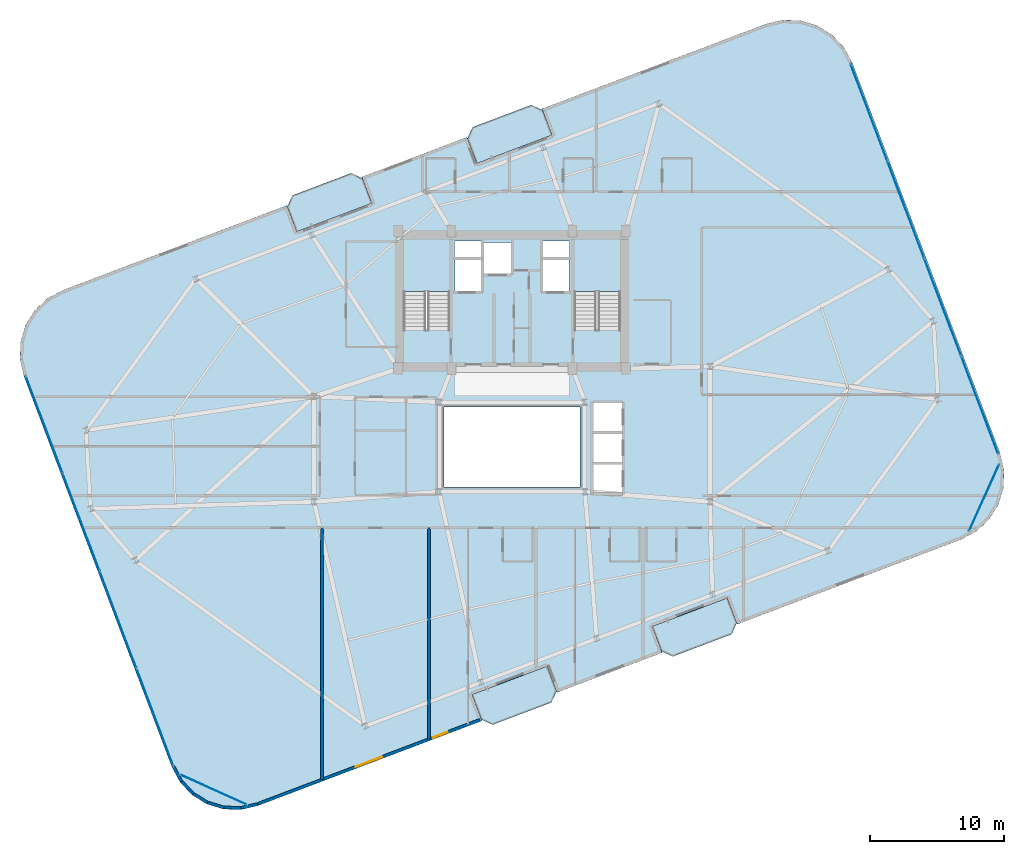
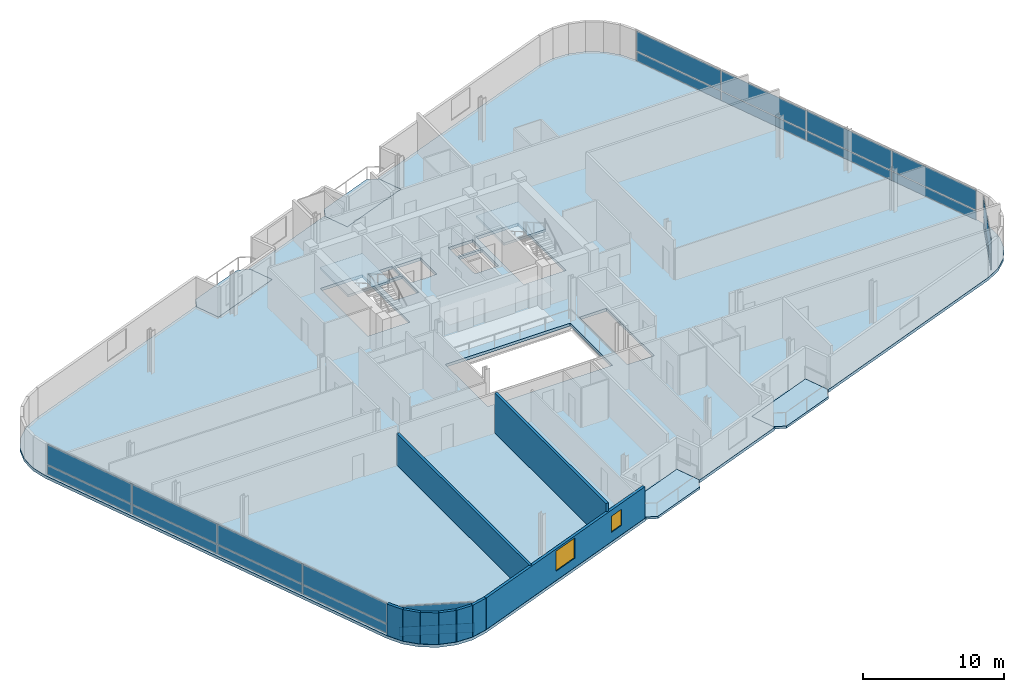
# One storey, part 17 of 24: 20 plates, 9 walls, 7 slabs, 2 windows, 2 openings, 6 elements without a shape of their own.
"""IFC4 building model written with IfcOpenShell, lengths in metres."""

from ifc_helpers import new_model, si_unit, direction, frame, frame_2d, origin, origin_2d, place, context, subcontext, project, spatial, polyline, rectangle, outline, extrude, source, transform, mapped, material, layer, layer_set, type_object, element, fill, aggregate, save


model = new_model("IFC4")

# Units and contexts
model_context = context("Model", 3, precision=1e-05, world=origin(), true_north=direction((0.0, 1.0)))
body_context = subcontext(model_context, "Body", "Model", "MODEL_VIEW")
ifc_project = project(units=[si_unit("LENGTHUNIT", "METRE"), si_unit("AREAUNIT", "SQUARE_METRE"), si_unit("VOLUMEUNIT", "CUBIC_METRE"), si_unit("PLANEANGLEUNIT", "RADIAN"), si_unit("MASSUNIT", "GRAM", prefix="KILO")], contexts=[model_context])

# Site, building, storey
site_placement = place(None, origin())
site = spatial("IfcSite", under=ifc_project, at=site_placement, CompositionType="ELEMENT")
building_placement = place(site_placement, origin())
building = spatial("IfcBuilding", under=site, at=building_placement, Name="Varnelok Gate Tower", CompositionType="ELEMENT")
storey_placement = place(building_placement, frame((0.0, 0.0, 242.300048828125)))
storey = spatial("IfcBuildingStorey", under=building, at=storey_placement, Name="L62", CompositionType="ELEMENT", Elevation=242.300048828125)

# Slabs
ifc_material_1 = material(Name="Concrete C45/55", Category="concrete")
ifc_layer_1 = layer(ifc_material_1, 0.199951171875)
ifc_layer_set_1 = layer_set([ifc_layer_1], Name="Concrete C45/55")
slab_type_1 = type_object("IfcSlabType", Name="SLB-BALC-200", PredefinedType="FLOOR", material=ifc_layer_set_1)
slab_1_placement = place(storey_placement, frame((0.0, 0.0, -0.199951171875)))
element("IfcSlab", 1, at=slab_1_placement, inside=storey, type_object=slab_type_1, Name="L62 South Hollow Balcony 1", PredefinedType="FLOOR", context=body_context, shape_type="SweptSolid", body=[
    extrude(outline(polyline([(36.9189453125, 2.5166015625), (37.757080078125, 2.138916015625), (42.152587890625, 3.802978515625), (42.530517578125, 4.640869140625), (41.822265625, 6.51123046875), (36.2109375, 4.386962890625), (36.9189453125, 2.5166015625)])), origin(), (0.0, 0.0, 1.0), 0.199951171875),
])
slab_2_placement = place(storey_placement, frame((0.0, 0.0, -0.199951171875)))
element("IfcSlab", 2, at=slab_2_placement, inside=storey, type_object=slab_type_1, Name="L62 South Hollow Balcony 2", PredefinedType="FLOOR", context=body_context, shape_type="SweptSolid", body=[
    extrude(outline(polyline([(50.38623046875, 7.614990234375), (51.22412109375, 7.2373046875), (55.619873046875, 8.9013671875), (55.99755859375, 9.739501953125), (55.289306640625, 11.60986328125), (49.677978515625, 9.485595703125), (50.38623046875, 7.614990234375)])), origin(), (0.0, 0.0, 1.0), 0.199951171875),
])
slab_3_placement = place(storey_placement, frame((0.0, 0.0, -0.199951171875)))
element("IfcSlab", 3, at=slab_3_placement, inside=storey, type_object=slab_type_1, Name="L62 North Hollow Balcony 1", PredefinedType="FLOOR", context=body_context, shape_type="SweptSolid", body=[
    extrude(outline(polyline([(23.110595703125, 38.990234375), (28.721923828125, 41.114501953125), (28.013916015625, 42.985107421875), (27.17578125, 43.36279296875), (22.7802734375, 41.698486328125), (22.402587890625, 40.860595703125), (23.110595703125, 38.990234375)])), origin(), (0.0, 0.0, 1.0), 0.199951171875),
])
slab_4_placement = place(storey_placement, frame((0.0, 0.0, -0.199951171875)))
element("IfcSlab", 4, at=slab_4_placement, inside=storey, type_object=slab_type_1, Name="L62 North Hollow Balcony 2", PredefinedType="FLOOR", context=body_context, shape_type="SweptSolid", body=[
    extrude(outline(polyline([(36.577880859375, 44.088623046875), (42.189208984375, 46.212890625), (41.48095703125, 48.08349609375), (40.642822265625, 48.461181640625), (36.247314453125, 46.797119140625), (35.86962890625, 45.958984375), (36.577880859375, 44.088623046875)])), origin(), (0.0, 0.0, 1.0), 0.199951171875),
])

# Stair, slab
ifc_material_2 = material(Name="Concrete C50/60", Category="concrete")
stair_type = type_object("IfcStairType", Name="STR-CORE-1650", PredefinedType="HALF_TURN_STAIR", material=ifc_material_2)
stair_1_placement = place(storey_placement, origin())
stair_1 = element("IfcStair", 5, at=stair_1_placement, inside=storey, type_object=stair_type, Name="L62 Exit Stair ST-1", PredefinedType="HALF_TURN_STAIR")
ifc_layer_2 = layer(ifc_material_1, 0.199951171875)
ifc_layer_set_2 = layer_set([ifc_layer_2], Name="Concrete C45/55")
slab_type_2 = type_object("IfcSlabType", Name="SLB-LAND-200", PredefinedType="LANDING", material=ifc_layer_set_2)
slab_5_placement = place(storey_placement, frame((0.0, 0.0, 1.64990234375)))
slab_5 = element("IfcSlab", 6, at=slab_5_placement, type_object=slab_type_2, Name="ST-1 landing 1", PredefinedType="LANDING", context=body_context, shape_type="SweptSolid", body=[
    extrude(outline(polyline([(34.550048828125, 34.5), (34.550048828125, 38.449951171875), (31.10009765625, 38.449951171875), (31.10009765625, 34.5), (34.550048828125, 34.5)])), origin(), (0.0, 0.0, 1.0), 0.199951171875),
])
aggregate(stair_1, [slab_5])

stair_2_placement = place(storey_placement, origin())
stair_2 = element("IfcStair", 7, at=stair_2_placement, inside=storey, type_object=stair_type, Name="L62 Exit Stair ST-2", PredefinedType="HALF_TURN_STAIR")
slab_6_placement = place(storey_placement, frame((0.0, 0.0, 1.64990234375)))
slab_6 = element("IfcSlab", 8, at=slab_6_placement, type_object=slab_type_2, Name="ST-2 landing 1", PredefinedType="LANDING", context=body_context, shape_type="SweptSolid", body=[
    extrude(outline(polyline([(47.300048828125, 34.5), (47.300048828125, 38.449951171875), (43.85009765625, 38.449951171875), (43.85009765625, 34.5), (47.300048828125, 34.5)])), origin(), (0.0, 0.0, 1.0), 0.199951171875),
])
aggregate(stair_2, [slab_6])

# Slab
ifc_layer_3 = layer(ifc_material_2, 0.25)
ifc_layer_set_3 = layer_set([ifc_layer_3], Name="Concrete C50/60")
slab_type_3 = type_object("IfcSlabType", Name="SLB-TYP-250", PredefinedType="FLOOR", material=ifc_layer_set_3)
slab_7_placement = place(storey_placement, frame((0.0, 0.0, -0.25)))
element("IfcSlab", 9, at=slab_7_placement, inside=storey, type_object=slab_type_3, Name="L62 Structural Floor Slab", PredefinedType="FLOOR", context=body_context, shape_type="SweptSolid", body=[
    extrude(outline(polyline([(13.767578125, -1.0087890625), (14.385009765625, -2.158935546875), (15.279296875, -3.10986328125), (16.388916015625, -3.796875), (17.638671875, -4.17333984375), (18.943359375, -4.213623046875), (20.214111328125, -3.914794921875), (29.8779296875, -0.256103515625), (36.954345703125, 2.423095703125), (36.2109375, 4.386962890625), (41.822265625, 6.51123046875), (42.56591796875, 4.54736328125), (50.421630859375, 7.521484375), (49.677978515625, 9.485595703125), (55.289306640625, 11.60986328125), (56.032958984375, 9.64599609375), (63.109619140625, 12.324951171875), (72.7734375, 15.983642578125), (73.92333984375, 16.60107421875), (74.874267578125, 17.495361328125), (75.561279296875, 18.60498046875), (75.93798828125, 19.854736328125), (75.97802734375, 21.159423828125), (75.67919921875, 22.429931640625), (64.632568359375, 51.60888671875), (64.014892578125, 52.7587890625), (63.120849609375, 53.709716796875), (62.010986328125, 54.39697265625), (60.76123046875, 54.7734375), (59.45654296875, 54.813720703125), (58.18603515625, 54.5146484375), (48.522216796875, 50.856201171875), (41.445556640625, 48.177001953125), (42.189208984375, 46.212890625), (36.577880859375, 44.088623046875), (35.834228515625, 46.052490234375), (27.978515625, 43.07861328125), (28.721923828125, 41.114501953125), (23.110595703125, 38.990234375), (22.3671875, 40.9541015625), (15.29052734375, 38.275146484375), (5.626708984375, 34.616455078125), (4.4765625, 33.998779296875), (3.525634765625, 33.104736328125), (2.838623046875, 31.9951171875), (2.462158203125, 30.7451171875), (2.422119140625, 29.440673828125), (2.720703125, 28.169921875), (13.767578125, -1.0087890625)]), holes=[polyline([(34.550048828125, 31.679931640625), (34.550048828125, 38.449951171875), (31.10009765625, 38.449951171875), (31.10009765625, 31.679931640625), (34.550048828125, 31.679931640625)]), polyline([(47.300048828125, 31.679931640625), (47.300048828125, 38.449951171875), (43.85009765625, 38.449951171875), (43.85009765625, 31.679931640625), (47.300048828125, 31.679931640625)]), polyline([(34.949951171875, 34.550048828125), (36.89990234375, 34.550048828125), (36.89990234375, 36.89990234375), (34.949951171875, 36.89990234375), (34.949951171875, 34.550048828125)]), polyline([(41.5, 34.550048828125), (43.449951171875, 34.550048828125), (43.449951171875, 36.89990234375), (41.5, 36.89990234375), (41.5, 34.550048828125)]), polyline([(37.050048828125, 35.85009765625), (39.14990234375, 35.85009765625), (39.14990234375, 38.199951171875), (37.050048828125, 38.199951171875), (37.050048828125, 35.85009765625)]), polyline([(45.25, 19.449951171875), (47.449951171875, 19.449951171875), (47.449951171875, 26.199951171875), (45.25, 26.199951171875), (45.25, 19.449951171875)]), polyline([(34.919921875, 37.080078125), (36.89990234375, 37.080078125), (36.89990234375, 38.280029296875), (34.919921875, 38.280029296875), (34.919921875, 37.080078125)]), polyline([(41.5, 37.080078125), (43.47998046875, 37.080078125), (43.47998046875, 38.280029296875), (41.5, 38.280029296875), (41.5, 37.080078125)]), polyline([(34.10009765625, 19.89990234375), (44.300048828125, 19.89990234375), (44.300048828125, 25.89990234375), (34.10009765625, 25.89990234375), (34.10009765625, 19.89990234375)])]), origin(), (0.0, 0.0, 1.0), 0.25),
])

# Curtain wall, plates
ifc_material_3 = material(Name="Anodized Aluminum Alloy 6063-T6", Category="aluminium")
ifc_layer_4 = layer(ifc_material_3, 0.179931640625)
ifc_layer_set_4 = layer_set([ifc_layer_4], Name="Anodized Aluminum Alloy 6063-T6")
curtain_wall_type_1 = type_object("IfcCurtainWallType", Name="CW4-RESIDENCE-VISION", PredefinedType="USERDEFINED", material=ifc_layer_set_4)
curtain_wall_1_placement = place(storey_placement, origin())
curtain_wall_1 = element("IfcCurtainWall", 10, at=curtain_wall_1_placement, inside=storey, type_object=curtain_wall_type_1, Name="L62 West End Vision Curtain Wall", ObjectType="UNITISED CURTAIN WALL", PredefinedType="USERDEFINED")
ifc_material_4 = material(Name="Low-E Laminated Double Glazing IGU", Category="glass")
ifc_layer_5 = layer(ifc_material_4, 0.035888671875)
ifc_layer_set_5 = layer_set([ifc_layer_5], Name="Low-E Laminated Double Glazing IGU")
plate_type_1 = type_object("IfcPlateType", Name="CW-PNL-IGU36", PredefinedType="CURTAIN_PANEL", material=ifc_layer_set_5)
shared_shape_1 = source(origin(), body_context, "Body", "SweptSolid", [
    extrude(rectangle(XDim=7.6875, YDim=0.035888671875, at=origin_2d()), origin(), (0.0, 0.0, 1.0), 0.78759765625),
])
plate_1_placement = place(storey_placement, frame((12.510986328125, 2.70556640625, 0.074951171875), z_axis=(0.0, 0.0, 1.0), x_axis=(-0.354063042079, 0.935221557832, 0.0)))
plate_1 = element("IfcPlate", 11, at=plate_1_placement, type_object=plate_type_1, Name="CW4 panel 1.1", PredefinedType="CURTAIN_PANEL", context=body_context, shape_type="MappedRepresentation", body=[
    mapped(shared_shape_1, transform((0.0, 0.0, 0.0), scale=1.0)),
])
plate_2_placement = place(storey_placement, frame((4.2392578125, 24.5546875, 0.074951171875), z_axis=(0.0, 0.0, 1.0), x_axis=(-0.354063042079, 0.935221557832, 0.0)))
plate_2 = element("IfcPlate", 12, at=plate_2_placement, type_object=plate_type_1, Name="CW4 panel 4.1", PredefinedType="CURTAIN_PANEL", context=body_context, shape_type="MappedRepresentation", body=[
    mapped(shared_shape_1, transform((0.0, 0.0, 0.0), scale=1.0)),
])

curtain_wall_2_placement = place(storey_placement, origin())
curtain_wall_2 = element("IfcCurtainWall", 13, at=curtain_wall_2_placement, inside=storey, type_object=curtain_wall_type_1, Name="L62 East End Vision Curtain Wall", ObjectType="UNITISED CURTAIN WALL", PredefinedType="USERDEFINED")
plate_3_placement = place(storey_placement, frame((65.888916015625, 47.89453125, 0.074951171875), z_axis=(0.0, 0.0, 1.0), x_axis=(0.354063042079, -0.935221557832, 0.0)))
plate_3 = element("IfcPlate", 14, at=plate_3_placement, type_object=plate_type_1, Name="CW4 panel 1.1", PredefinedType="CURTAIN_PANEL", context=body_context, shape_type="MappedRepresentation", body=[
    mapped(shared_shape_1, transform((0.0, 0.0, 0.0), scale=1.0)),
])
plate_4_placement = place(storey_placement, frame((74.160888671875, 26.04541015625, 0.074951171875), z_axis=(0.0, 0.0, 1.0), x_axis=(0.354063042079, -0.935221557832, 0.0)))
plate_4 = element("IfcPlate", 15, at=plate_4_placement, type_object=plate_type_1, Name="CW4 panel 4.1", PredefinedType="CURTAIN_PANEL", context=body_context, shape_type="MappedRepresentation", body=[
    mapped(shared_shape_1, transform((0.0, 0.0, 0.0), scale=1.0)),
])

# Plate
shared_shape_2 = source(origin(), body_context, "Body", "SweptSolid", [
    extrude(rectangle(XDim=7.6875, YDim=0.035888671875, at=origin_2d()), origin(), (0.0, 0.0, 1.0), 1.717529296875),
])
plate_5_placement = place(storey_placement, frame((12.510986328125, 2.70556640625, 0.9375), z_axis=(0.0, 0.0, 1.0), x_axis=(-0.354063042079, 0.935221557832, 0.0)))
plate_5 = element("IfcPlate", 16, at=plate_5_placement, type_object=plate_type_1, Name="CW4 panel 1.2", PredefinedType="CURTAIN_PANEL", context=body_context, shape_type="MappedRepresentation", body=[
    mapped(shared_shape_2, transform((0.0, 0.0, 0.0), scale=1.0)),
])

plate_6_placement = place(storey_placement, frame((4.2392578125, 24.5546875, 0.9375), z_axis=(0.0, 0.0, 1.0), x_axis=(-0.354063042079, 0.935221557832, 0.0)))
plate_6 = element("IfcPlate", 17, at=plate_6_placement, type_object=plate_type_1, Name="CW4 panel 4.2", PredefinedType="CURTAIN_PANEL", context=body_context, shape_type="MappedRepresentation", body=[
    mapped(shared_shape_2, transform((0.0, 0.0, 0.0), scale=1.0)),
])

plate_7_placement = place(storey_placement, frame((65.888916015625, 47.89453125, 0.9375), z_axis=(0.0, 0.0, 1.0), x_axis=(0.354063042079, -0.935221557832, 0.0)))
plate_7 = element("IfcPlate", 18, at=plate_7_placement, type_object=plate_type_1, Name="CW4 panel 1.2", PredefinedType="CURTAIN_PANEL", context=body_context, shape_type="MappedRepresentation", body=[
    mapped(shared_shape_2, transform((0.0, 0.0, 0.0), scale=1.0)),
])

plate_8_placement = place(storey_placement, frame((74.160888671875, 26.04541015625, 0.9375), z_axis=(0.0, 0.0, 1.0), x_axis=(0.354063042079, -0.935221557832, 0.0)))
plate_8 = element("IfcPlate", 19, at=plate_8_placement, type_object=plate_type_1, Name="CW4 panel 4.2", PredefinedType="CURTAIN_PANEL", context=body_context, shape_type="MappedRepresentation", body=[
    mapped(shared_shape_2, transform((0.0, 0.0, 0.0), scale=1.0)),
])

shared_shape_3 = source(origin(), body_context, "Body", "SweptSolid", [
    extrude(rectangle(XDim=7.72509765625, YDim=0.035888671875, at=origin_2d()), origin(), (0.0, 0.0, 1.0), 0.78759765625),
])
plate_9_placement = place(storey_placement, frame((9.755859375, 9.982666015625, 0.074951171875), z_axis=(0.0, 0.0, 1.0), x_axis=(-0.354063042079, 0.935221557832, 0.0)))
plate_9 = element("IfcPlate", 20, at=plate_9_placement, type_object=plate_type_1, Name="CW4 panel 2.1", PredefinedType="CURTAIN_PANEL", context=body_context, shape_type="MappedRepresentation", body=[
    mapped(shared_shape_3, transform((0.0, 0.0, 0.0), scale=1.0)),
])

plate_10_placement = place(storey_placement, frame((6.994140625, 17.277587890625, 0.074951171875), z_axis=(0.0, 0.0, 1.0), x_axis=(-0.354063042079, 0.935221557832, 0.0)))
plate_10 = element("IfcPlate", 21, at=plate_10_placement, type_object=plate_type_1, Name="CW4 panel 3.1", PredefinedType="CURTAIN_PANEL", context=body_context, shape_type="MappedRepresentation", body=[
    mapped(shared_shape_3, transform((0.0, 0.0, 0.0), scale=1.0)),
])

plate_11_placement = place(storey_placement, frame((68.64404296875, 40.6171875, 0.074951171875), z_axis=(0.0, 0.0, 1.0), x_axis=(0.354063042079, -0.935221557832, 0.0)))
plate_11 = element("IfcPlate", 22, at=plate_11_placement, type_object=plate_type_1, Name="CW4 panel 2.1", PredefinedType="CURTAIN_PANEL", context=body_context, shape_type="MappedRepresentation", body=[
    mapped(shared_shape_3, transform((0.0, 0.0, 0.0), scale=1.0)),
])

plate_12_placement = place(storey_placement, frame((71.40576171875, 33.322509765625, 0.074951171875), z_axis=(0.0, 0.0, 1.0), x_axis=(0.354063042079, -0.935221557832, 0.0)))
plate_12 = element("IfcPlate", 23, at=plate_12_placement, type_object=plate_type_1, Name="CW4 panel 3.1", PredefinedType="CURTAIN_PANEL", context=body_context, shape_type="MappedRepresentation", body=[
    mapped(shared_shape_3, transform((0.0, 0.0, 0.0), scale=1.0)),
])

shared_shape_4 = source(origin(), body_context, "Body", "SweptSolid", [
    extrude(rectangle(XDim=7.72509765625, YDim=0.035888671875, at=origin_2d()), origin(), (0.0, 0.0, 1.0), 1.717529296875),
])
plate_13_placement = place(storey_placement, frame((9.755859375, 9.982666015625, 0.9375), z_axis=(0.0, 0.0, 1.0), x_axis=(-0.354063042079, 0.935221557832, 0.0)))
plate_13 = element("IfcPlate", 24, at=plate_13_placement, type_object=plate_type_1, Name="CW4 panel 2.2", PredefinedType="CURTAIN_PANEL", context=body_context, shape_type="MappedRepresentation", body=[
    mapped(shared_shape_4, transform((0.0, 0.0, 0.0), scale=1.0)),
])

plate_14_placement = place(storey_placement, frame((6.994140625, 17.277587890625, 0.9375), z_axis=(0.0, 0.0, 1.0), x_axis=(-0.354063042079, 0.935221557832, 0.0)))
plate_14 = element("IfcPlate", 25, at=plate_14_placement, type_object=plate_type_1, Name="CW4 panel 3.2", PredefinedType="CURTAIN_PANEL", context=body_context, shape_type="MappedRepresentation", body=[
    mapped(shared_shape_4, transform((0.0, 0.0, 0.0), scale=1.0)),
])

aggregate(curtain_wall_1, [plate_1, plate_5, plate_9, plate_13, plate_10, plate_14, plate_2, plate_6])

plate_15_placement = place(storey_placement, frame((68.64404296875, 40.6171875, 0.9375), z_axis=(0.0, 0.0, 1.0), x_axis=(0.354063042079, -0.935221557832, 0.0)))
plate_15 = element("IfcPlate", 26, at=plate_15_placement, type_object=plate_type_1, Name="CW4 panel 2.2", PredefinedType="CURTAIN_PANEL", context=body_context, shape_type="MappedRepresentation", body=[
    mapped(shared_shape_4, transform((0.0, 0.0, 0.0), scale=1.0)),
])

plate_16_placement = place(storey_placement, frame((71.40576171875, 33.322509765625, 0.9375), z_axis=(0.0, 0.0, 1.0), x_axis=(0.354063042079, -0.935221557832, 0.0)))
plate_16 = element("IfcPlate", 27, at=plate_16_placement, type_object=plate_type_1, Name="CW4 panel 3.2", PredefinedType="CURTAIN_PANEL", context=body_context, shape_type="MappedRepresentation", body=[
    mapped(shared_shape_4, transform((0.0, 0.0, 0.0), scale=1.0)),
])

aggregate(curtain_wall_2, [plate_3, plate_7, plate_11, plate_15, plate_12, plate_16, plate_4, plate_8])

# Curtain wall, plate
ifc_layer_6 = layer(ifc_material_3, 0.179931640625)
ifc_layer_set_6 = layer_set([ifc_layer_6], Name="Anodized Aluminum Alloy 6063-T6")
curtain_wall_type_2 = type_object("IfcCurtainWallType", Name="CW5-WINDCORNER-GLAZ", PredefinedType="USERDEFINED", material=ifc_layer_set_6)
curtain_wall_3_placement = place(storey_placement, origin())
curtain_wall_3 = element("IfcCurtainWall", 28, at=curtain_wall_3_placement, inside=storey, type_object=curtain_wall_type_2, Name="L62 Wind-Shaped Corner Curtain Wall SW", ObjectType="STRUCTURAL GLAZING", PredefinedType="USERDEFINED")
ifc_layer_7 = layer(ifc_material_4, 0.0419921875)
ifc_layer_set_7 = layer_set([ifc_layer_7], Name="Low-E Laminated Double Glazing IGU")
plate_type_2 = type_object("IfcPlateType", Name="CW-PNL-SPN42", PredefinedType="CURTAIN_PANEL", material=ifc_layer_set_7)
shared_shape_5 = source(origin(), body_context, "Body", "SweptSolid", [
    extrude(rectangle(XDim=5.385498046875, YDim=0.0419921875, at=origin_2d()), origin(), (0.0, 0.0, 1.0), 0.802490234375),
])
plate_17_placement = place(storey_placement, frame((16.87451171875, -2.7197265625, 0.06494140625), z_axis=(0.0, 0.0, 1.0), x_axis=(0.911662816164, -0.410939058285, 0.0)))
plate_17 = element("IfcPlate", 29, at=plate_17_placement, type_object=plate_type_2, Name="CW5 panel 1.1", PredefinedType="CURTAIN_PANEL", context=body_context, shape_type="MappedRepresentation", body=[
    mapped(shared_shape_5, transform((0.0, 0.0, 0.0), scale=1.0)),
])

curtain_wall_4_placement = place(storey_placement, origin())
curtain_wall_4 = element("IfcCurtainWall", 30, at=curtain_wall_4_placement, inside=storey, type_object=curtain_wall_type_2, Name="L62 Wind-Shaped Corner Curtain Wall SE", ObjectType="STRUCTURAL GLAZING", PredefinedType="USERDEFINED")
plate_18_placement = place(storey_placement, frame((74.484130859375, 19.090576171875, 0.06494140625), z_axis=(0.0, 0.0, 1.0), x_axis=(0.410939058285, 0.911662816164, 0.0)))
plate_18 = element("IfcPlate", 31, at=plate_18_placement, type_object=plate_type_2, Name="CW5 panel 1.1", PredefinedType="CURTAIN_PANEL", context=body_context, shape_type="MappedRepresentation", body=[
    mapped(shared_shape_5, transform((0.0, 0.0, 0.0), scale=1.0)),
])

# Plate
shared_shape_6 = source(origin(), body_context, "Body", "SweptSolid", [
    extrude(rectangle(XDim=5.385498046875, YDim=0.0419921875, at=origin_2d()), origin(), (0.0, 0.0, 1.0), 1.732421875),
])
plate_19_placement = place(storey_placement, frame((16.87451171875, -2.7197265625, 0.932373046875), z_axis=(0.0, 0.0, 1.0), x_axis=(0.911662816164, -0.410939058285, 0.0)))
plate_19 = element("IfcPlate", 32, at=plate_19_placement, type_object=plate_type_2, Name="CW5 panel 1.2", PredefinedType="CURTAIN_PANEL", context=body_context, shape_type="MappedRepresentation", body=[
    mapped(shared_shape_6, transform((0.0, 0.0, 0.0), scale=1.0)),
])

aggregate(curtain_wall_3, [plate_17, plate_19])

plate_20_placement = place(storey_placement, frame((74.484130859375, 19.090576171875, 0.932373046875), z_axis=(0.0, 0.0, 1.0), x_axis=(0.410939058285, 0.911662816164, 0.0)))
plate_20 = element("IfcPlate", 33, at=plate_20_placement, type_object=plate_type_2, Name="CW5 panel 1.2", PredefinedType="CURTAIN_PANEL", context=body_context, shape_type="MappedRepresentation", body=[
    mapped(shared_shape_6, transform((0.0, 0.0, 0.0), scale=1.0)),
])

aggregate(curtain_wall_4, [plate_18, plate_20])

# Walls
ifc_layer_8 = layer(ifc_material_1, 0.219970703125)
ifc_layer_set_8 = layer_set([ifc_layer_8], Name="Concrete C45/55")
wall_type_1 = type_object("IfcWallType", Name="EW-BALC-220", PredefinedType="SOLIDWALL", material=ifc_layer_set_8)
wall_1_placement = place(storey_placement, frame((13.880615234375, -0.966064453125, 0.0), z_axis=(0.0, 0.0, 1.0), x_axis=(0.473242342135, -0.88093228208, 0.0)))
element("IfcWall", 34, at=wall_1_placement, inside=storey, type_object=wall_type_1, Name="L62 Perimeter Facade Closure Wall 1", PredefinedType="SOLIDWALL", context=body_context, shape_type="SweptSolid", body=[
    extrude(rectangle(XDim=1.273681640625, YDim=0.219970703125, at=frame_2d((0.63671875, 0.0))), origin(), (0.0, 0.0, 1.0), 2.72998046875),
])
for number, where, z_axis, x_axis, name in (
    (35, (14.50048828125, -2.1064453125, 0.0), (0.0, 0.0, 1.0), (0.684968140504, -0.728573020702, 0.0), "L62 Perimeter Facade Closure Wall 2"),
    (36, (15.377197265625, -3.029296875, 0.0), (0.0, 0.0, 1.0), (0.850231806078, -0.526408468713, 0.0), "L62 Perimeter Facade Closure Wall 3"),
    (37, (16.462646484375, -3.69384765625, 0.0), (0.0, 0.0, 1.0), (0.957508189204, -0.288406081086, 0.0), "L62 Perimeter Facade Closure Wall 4"),
):
    element("IfcWall", number, at=place(storey_placement, frame(where, z_axis=z_axis, x_axis=x_axis)), inside=storey, type_object=wall_type_1, Name=name, PredefinedType="SOLIDWALL", context=body_context, shape_type="SweptSolid", body=[
        extrude(rectangle(XDim=1.24853515625, YDim=0.219970703125, at=frame_2d((0.624267578125, 0.0))), origin(), (0.0, 0.0, 1.0), 2.72998046875),
    ])
wall_2_placement = place(storey_placement, frame((17.68310546875, -4.0546875, 0.0), z_axis=(0.0, 0.0, 1.0), x_axis=(0.999522886512, -0.030886879732, 0.0)))
element("IfcWall", 38, at=wall_2_placement, inside=storey, type_object=wall_type_1, Name="L62 Perimeter Facade Closure Wall 5", PredefinedType="SOLIDWALL", context=body_context, shape_type="SweptSolid", body=[
    extrude(rectangle(XDim=1.248779296875, YDim=0.219970703125, at=frame_2d((0.62451171875, 0.0))), origin(), (0.0, 0.0, 1.0), 2.72998046875),
])
wall_3_placement = place(storey_placement, frame((18.95556640625, -4.08740234375, 0.0), z_axis=(0.0, 0.0, 1.0), x_axis=(0.973463008152, 0.228844426981, 0.0)))
element("IfcWall", 39, at=wall_3_placement, inside=storey, type_object=wall_type_1, Name="L62 Perimeter Facade Closure Wall 6", PredefinedType="SOLIDWALL", context=body_context, shape_type="SweptSolid", body=[
    extrude(rectangle(XDim=1.2568359375, YDim=0.219970703125, at=frame_2d((0.62841796875, 0.0))), origin(), (0.0, 0.0, 1.0), 2.72998046875),
])

# Wall, openings, windows
wall_4_placement = place(storey_placement, frame((20.2021484375, -3.790771484375, 0.0), z_axis=(0.0, 0.0, 1.0), x_axis=(0.935225574232, 0.354052432984, 0.0)))
wall_4 = element("IfcWall", 40, at=wall_4_placement, inside=storey, type_object=wall_type_1, Name="L62 Perimeter Facade Closure Wall 7", PredefinedType="SOLIDWALL", context=body_context, shape_type="SweptSolid", body=[
    extrude(rectangle(XDim=17.747314453125, YDim=0.219970703125, at=frame_2d((8.87353515625, 0.0))), origin(), (0.0, 0.0, 1.0), 2.72998046875),
])
opening_1_placement = place(wall_4_placement, frame((7.823486328125, 0.0, 0.800048828125)))
opening_1 = element("IfcOpeningElement", 41, at=opening_1_placement, cuts=wall_4, Name="Opening WN4", PredefinedType="OPENING", context=body_context, shape_type="SweptSolid", body=[
    extrude(rectangle(XDim=2.10009765625, YDim=1.75, at=frame_2d((1.050048828125, 0.875))), frame((0.0, 0.119873046875, 0.0), z_axis=(0.0, -1.0, 0.0), x_axis=(1.0, 0.0, 0.0)), (0.0, 0.0, 1.0), 0.239990234375),
])
opening_2_placement = place(wall_4_placement, frame((13.99755859375, 0.0, 0.800048828125)))
opening_2 = element("IfcOpeningElement", 42, at=opening_2_placement, cuts=wall_4, Name="Opening WN8", PredefinedType="OPENING", context=body_context, shape_type="SweptSolid", body=[
    extrude(rectangle(XDim=1.14990234375, YDim=1.39990234375, at=frame_2d((0.574951171875, 0.699951171875))), frame((0.0, 0.119873046875, 0.0), z_axis=(0.0, -1.0, 0.0), x_axis=(1.0, 0.0, 0.0)), (0.0, 0.0, 1.0), 0.239990234375),
])
window_type_1 = type_object("IfcWindowType", Name="WN-BED-1150", PartitioningType="SINGLE_PANEL", PredefinedType="WINDOW", material=ifc_material_4)
window_1_placement = place(opening_2_placement, origin())
window_1 = element("IfcWindow", 43, at=window_1_placement, inside=storey, type_object=window_type_1, Name="L62 Bedroom Vision Window 46", OverallHeight=1.39990234375, OverallWidth=1.14990234375, PartitioningType="SINGLE_PANEL", PredefinedType="WINDOW", context=body_context, shape_type="SweptSolid", body=[
    extrude(rectangle(XDim=1.14990234375, YDim=1.39990234375, at=frame_2d((0.574951171875, 0.699951171875))), frame((0.0, 0.030029296875, 0.0), z_axis=(0.0, -1.0, 0.0), x_axis=(1.0, 0.0, 0.0)), (0.0, 0.0, 1.0), 0.06005859375),
])
fill(opening_2, window_1)
window_type_2 = type_object("IfcWindowType", Name="WN-SUI-2100", PartitioningType="SINGLE_PANEL", PredefinedType="WINDOW", material=ifc_material_4)
window_2_placement = place(opening_1_placement, origin())
window_2 = element("IfcWindow", 44, at=window_2_placement, inside=storey, type_object=window_type_2, Name="L62 Perimeter Vision Window 7", OverallHeight=1.75, OverallWidth=2.10009765625, PartitioningType="SINGLE_PANEL", PredefinedType="WINDOW", context=body_context, shape_type="SweptSolid", body=[
    extrude(rectangle(XDim=2.10009765625, YDim=1.75, at=frame_2d((1.050048828125, 0.875))), frame((0.0, 0.030029296875, 0.0), z_axis=(0.0, -1.0, 0.0), x_axis=(1.0, 0.0, 0.0)), (0.0, 0.0, 1.0), 0.06005859375),
])
fill(opening_1, window_2)

# Walls
ifc_material_5 = material(Name="Gypsum Plasterboard Acoustic Partition", Category="gypsum")
ifc_layer_9 = layer(ifc_material_5, 0.205078125)
ifc_layer_set_9 = layer_set([ifc_layer_9], Name="Gypsum Plasterboard Acoustic Partition")
wall_type_2 = type_object("IfcWallType", Name="PW-PARTY-200", PredefinedType="PARTITIONING", material=ifc_layer_set_9)
wall_5_placement = place(storey_placement, frame((25.0, -1.953125, 0.0), z_axis=(0.0, 0.0, 1.0), x_axis=(0.0, 1.0, 0.0)))
element("IfcWall", 45, at=wall_5_placement, inside=storey, type_object=wall_type_2, Name="L62 South Party Wall 1", PredefinedType="PARTITIONING", context=body_context, shape_type="SweptSolid", body=[
    extrude(rectangle(XDim=18.80322265625, YDim=0.205078125, at=frame_2d((9.401611328125, 0.0))), origin(), (0.0, 0.0, 1.0), 2.739013671875),
])
wall_6_placement = place(storey_placement, frame((33.0, 1.07568359375, 0.0), z_axis=(0.0, 0.0, 1.0), x_axis=(0.0, 1.0, 0.0)))
element("IfcWall", 46, at=wall_6_placement, inside=storey, type_object=wall_type_2, Name="L62 South Party Wall 2", PredefinedType="PARTITIONING", context=body_context, shape_type="SweptSolid", body=[
    extrude(rectangle(XDim=15.7744140625, YDim=0.205078125, at=frame_2d((7.88720703125, 0.0))), origin(), (0.0, 0.0, 1.0), 3.449951171875),
])

save(model, "model.ifc")
